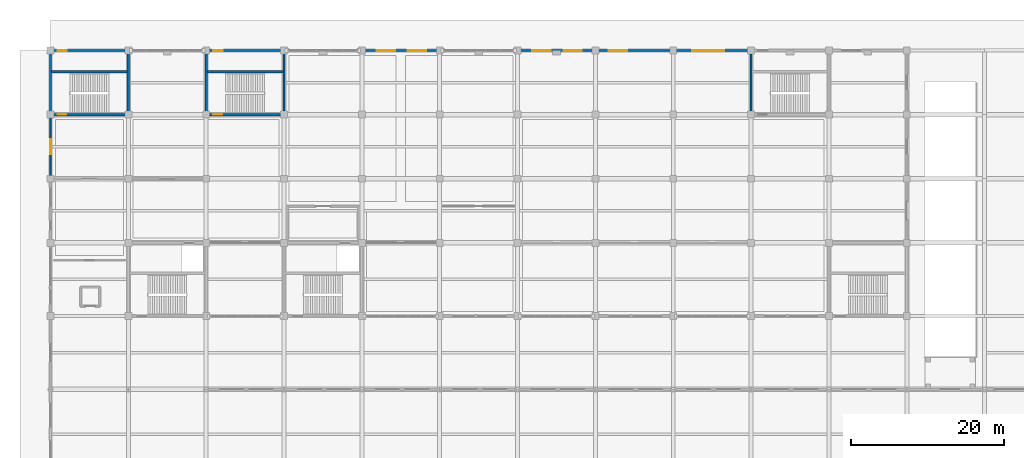
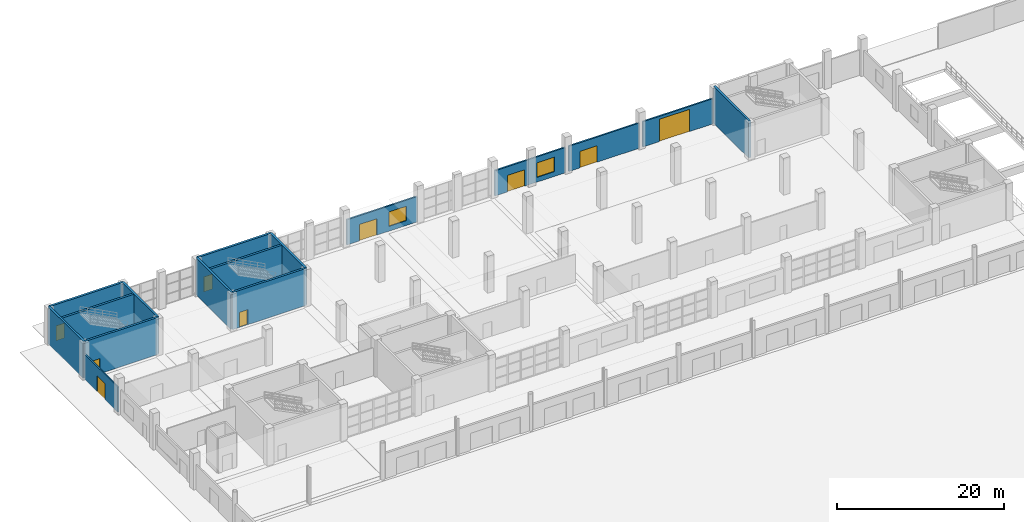
# One storey, part 97 of 124: 16 walls, 9 doors, 2 windows, 11 openings.
"""IFC4 building model written with IfcOpenShell, lengths in metres."""

from ifc_helpers import new_model, si_unit, direction, frame, frame_2d, origin, place, context, subcontext, project, spatial, rectangle, extrude, material, layer, layer_set, type_object, element, fill, save


model = new_model("IFC4")

# Units and contexts
model_context = context("Model", 3, precision=1e-05, world=origin(), true_north=direction((0.0, 1.0)))
body_context = subcontext(model_context, "Body", "Model", "MODEL_VIEW")
ifc_project = project(units=[si_unit("LENGTHUNIT", "METRE"), si_unit("AREAUNIT", "SQUARE_METRE"), si_unit("VOLUMEUNIT", "CUBIC_METRE"), si_unit("PLANEANGLEUNIT", "RADIAN"), si_unit("MASSUNIT", "GRAM", prefix="KILO")], contexts=[model_context])

# Site, building, storey
site_placement = place(None, origin())
site = spatial("IfcSite", under=ifc_project, at=site_placement, CompositionType="ELEMENT")
building_placement = place(site_placement, origin())
building = spatial("IfcBuilding", under=site, at=building_placement, Name="Brelvane Convention Centre", CompositionType="ELEMENT")
storey_placement = place(building_placement, origin())
storey = spatial("IfcBuildingStorey", under=building, at=storey_placement, Name="L00", CompositionType="ELEMENT", Elevation=0.0)

# Wall, openings, door, window
ifc_material_1 = material(Name="Insulated Autoclaved Aerated Concrete Block Grade 1", Category="concrete")
ifc_layer_1 = layer(ifc_material_1, 0.219970703125)
ifc_layer_set_1 = layer_set([ifc_layer_1], Name="Insulated Autoclaved Aerated Concrete Block Grade 1")
wall_type_1 = type_object("IfcWallType", Name="Exterior Wall EW-04", PredefinedType="STANDARD", material=ifc_layer_set_1)
wall_1_placement = place(storey_placement, frame((41.0400390625, 144.0, 0.0), z_axis=(0.0, 0.0, 1.0), x_axis=(1.0, 0.0, 0.0)))
wall_1 = element("IfcWall", 1, at=wall_1_placement, inside=storey, type_object=wall_type_1, Name="Exterior Wall L00 V4N-05", PredefinedType="STANDARD", context=body_context, shape_type="SweptSolid", body=[
    extrude(rectangle(XDim=9.719970703125, YDim=0.219970703125, at=frame_2d((4.85986328125, 0.0))), origin(), (0.0, 0.0, 1.0), 3.679931640625),
])
opening_1_placement = place(wall_1_placement, frame((1.716064453125, 0.0, 0.0)))
opening_1 = element("IfcOpeningElement", 2, at=opening_1_placement, cuts=wall_1, Name="Opening DR-EX-04", PredefinedType="OPENING", context=body_context, shape_type="SweptSolid", body=[
    extrude(rectangle(XDim=2.39990234375, YDim=2.39990234375, at=frame_2d((1.199951171875, 1.199951171875))), frame((0.0, 0.119873046875, 0.0), z_axis=(0.0, -1.0, 0.0), x_axis=(1.0, 0.0, 0.0)), (0.0, 0.0, 1.0), 0.239990234375),
])
opening_2_placement = place(wall_1_placement, frame((5.798095703125, 0.0, 0.699951171875)))
opening_2 = element("IfcOpeningElement", 3, at=opening_2_placement, cuts=wall_1, Name="Opening WN-01", PredefinedType="OPENING", context=body_context, shape_type="SweptSolid", body=[
    extrude(rectangle(XDim=2.39990234375, YDim=2.10009765625, at=frame_2d((1.199951171875, 1.050048828125))), frame((0.0, 0.119873046875, 0.0), z_axis=(0.0, -1.0, 0.0), x_axis=(1.0, 0.0, 0.0)), (0.0, 0.0, 1.0), 0.239990234375),
])
ifc_material_2 = material(Name="Anodised Aluminium Alloy 6063-T6", Category="aluminium")
door_type_1 = type_object("IfcDoorType", Name="Exterior Door DR-EX-04", OperationType="NOTDEFINED", PredefinedType="DOOR", material=ifc_material_2)
door_1_placement = place(opening_1_placement, origin())
door_1 = element("IfcDoor", 4, at=door_1_placement, inside=storey, type_object=door_type_1, Name="Final Exit Door MEET-N5 (DR-EX-04)", OperationType="DOUBLE_DOOR_SINGLE_SWING", OverallHeight=2.39990234375, OverallWidth=2.39990234375, PredefinedType="DOOR", context=body_context, shape_type="SweptSolid", body=[
    extrude(rectangle(XDim=2.39990234375, YDim=2.39990234375, at=frame_2d((1.199951171875, 1.199951171875))), frame((0.0, 0.02490234375, 0.0), z_axis=(0.0, -1.0, 0.0), x_axis=(1.0, 0.0, 0.0)), (0.0, 0.0, 1.0), 0.050048828125),
])
fill(opening_1, door_1)
ifc_material_3 = material(Name="Double Glazed Low-E Laminated Unit")
window_type = type_object("IfcWindowType", Name="Window WN-01", PartitioningType="DOUBLE_PANEL_VERTICAL", PredefinedType="WINDOW", material=ifc_material_3)
window_1_placement = place(opening_2_placement, origin())
window_1 = element("IfcWindow", 5, at=window_1_placement, inside=storey, type_object=window_type, Name="Facade Window L00-V4N-05-010", OverallHeight=2.10009765625, OverallWidth=2.39990234375, PartitioningType="DOUBLE_PANEL_VERTICAL", PredefinedType="WINDOW", context=body_context, shape_type="SweptSolid", body=[
    extrude(rectangle(XDim=2.39990234375, YDim=2.10009765625, at=frame_2d((1.199951171875, 1.050048828125))), frame((0.0, 0.030029296875, 0.0), z_axis=(0.0, -1.0, 0.0), x_axis=(1.0, 0.0, 0.0)), (0.0, 0.0, 1.0), 0.06005859375),
])
fill(opening_2, window_1)

wall_2_placement = place(storey_placement, frame((61.43994140625, 144.0, 0.0), z_axis=(0.0, 0.0, 1.0), x_axis=(1.0, 0.0, 0.0)))
wall_2 = element("IfcWall", 6, at=wall_2_placement, inside=storey, type_object=wall_type_1, Name="Exterior Wall L00 V4N-07", PredefinedType="STANDARD", context=body_context, shape_type="SweptSolid", body=[
    extrude(rectangle(XDim=9.719970703125, YDim=0.219970703125, at=frame_2d((4.85986328125, 0.0))), origin(), (0.0, 0.0, 1.0), 3.679931640625),
])
opening_3_placement = place(wall_2_placement, frame((1.716064453125, 0.0, 0.0)))
opening_3 = element("IfcOpeningElement", 7, at=opening_3_placement, cuts=wall_2, Name="Opening DR-EX-04", PredefinedType="OPENING", context=body_context, shape_type="SweptSolid", body=[
    extrude(rectangle(XDim=2.39990234375, YDim=2.39990234375, at=frame_2d((1.199951171875, 1.199951171875))), frame((0.0, 0.119873046875, 0.0), z_axis=(0.0, -1.0, 0.0), x_axis=(1.0, 0.0, 0.0)), (0.0, 0.0, 1.0), 0.239990234375),
])
opening_4_placement = place(wall_2_placement, frame((5.798095703125, 0.0, 0.699951171875)))
opening_4 = element("IfcOpeningElement", 8, at=opening_4_placement, cuts=wall_2, Name="Opening WN-01", PredefinedType="OPENING", context=body_context, shape_type="SweptSolid", body=[
    extrude(rectangle(XDim=2.39990234375, YDim=2.10009765625, at=frame_2d((1.199951171875, 1.050048828125))), frame((0.0, 0.119873046875, 0.0), z_axis=(0.0, -1.0, 0.0), x_axis=(1.0, 0.0, 0.0)), (0.0, 0.0, 1.0), 0.239990234375),
])
door_2_placement = place(opening_3_placement, origin())
door_2 = element("IfcDoor", 9, at=door_2_placement, inside=storey, type_object=door_type_1, Name="Final Exit Door MEET-N7 (DR-EX-04)", OperationType="DOUBLE_DOOR_SINGLE_SWING", OverallHeight=2.39990234375, OverallWidth=2.39990234375, PredefinedType="DOOR", context=body_context, shape_type="SweptSolid", body=[
    extrude(rectangle(XDim=2.39990234375, YDim=2.39990234375, at=frame_2d((1.199951171875, 1.199951171875))), frame((0.0, 0.02490234375, 0.0), z_axis=(0.0, -1.0, 0.0), x_axis=(1.0, 0.0, 0.0)), (0.0, 0.0, 1.0), 0.050048828125),
])
fill(opening_3, door_2)
window_2_placement = place(opening_4_placement, origin())
window_2 = element("IfcWindow", 10, at=window_2_placement, inside=storey, type_object=window_type, Name="Facade Window L00-V4N-07-012", OverallHeight=2.10009765625, OverallWidth=2.39990234375, PartitioningType="DOUBLE_PANEL_VERTICAL", PredefinedType="WINDOW", context=body_context, shape_type="SweptSolid", body=[
    extrude(rectangle(XDim=2.39990234375, YDim=2.10009765625, at=frame_2d((1.199951171875, 1.050048828125))), frame((0.0, 0.030029296875, 0.0), z_axis=(0.0, -1.0, 0.0), x_axis=(1.0, 0.0, 0.0)), (0.0, 0.0, 1.0), 0.06005859375),
])
fill(opening_4, window_2)

# Wall, opening, door
ifc_material_4 = material(Name="Insulated Autoclaved Aerated Concrete Block Grade 1", Category="concrete")
ifc_layer_2 = layer(ifc_material_4, 0.18994140625)
ifc_layer_set_2 = layer_set([ifc_layer_2], Name="Insulated Autoclaved Aerated Concrete Block Grade 1")
wall_type_2 = type_object("IfcWallType", Name="Exterior Wall EW-06", PredefinedType="STANDARD", material=ifc_layer_set_2)
wall_3_placement = place(storey_placement, frame((0.0, 127.43994140625, 0.0), z_axis=(0.0, 0.0, 1.0), x_axis=(0.0, 1.0, 0.0)))
wall_3 = element("IfcWall", 11, at=wall_3_placement, inside=storey, type_object=wall_type_2, Name="Exterior Wall L00 V4W-L00-127", PredefinedType="STANDARD", context=body_context, shape_type="SweptSolid", body=[
    extrude(rectangle(XDim=7.920166015625, YDim=0.18994140625, at=frame_2d((3.9599609375, 0.0))), origin(), (0.0, 0.0, 1.0), 3.679931640625),
])
opening_5_placement = place(wall_3_placement, frame((2.9599609375, 0.0, 0.0)))
opening_5 = element("IfcOpeningElement", 12, at=opening_5_placement, cuts=wall_3, Name="Opening DR-EX-06", PredefinedType="OPENING", context=body_context, shape_type="SweptSolid", body=[
    extrude(rectangle(XDim=2.0, YDim=2.300048828125, at=frame_2d((1.0, 1.14990234375))), frame((0.0, 0.10498046875, 0.0), z_axis=(0.0, -1.0, 0.0), x_axis=(1.0, 0.0, 0.0)), (0.0, 0.0, 1.0), 0.2099609375),
])
ifc_material_5 = material(Name="Anodised Aluminium Alloy 6063-T6", Category="aluminium")
door_type_2 = type_object("IfcDoorType", Name="Exterior Door DR-EX-06", OperationType="NOTDEFINED", PredefinedType="DOOR", material=ifc_material_5)
door_3_placement = place(opening_5_placement, origin())
door_3 = element("IfcDoor", 13, at=door_3_placement, inside=storey, type_object=door_type_2, Name="Final Exit Door MEET-W-EX4 (DR-EX-06)", OperationType="DOUBLE_DOOR_SINGLE_SWING", OverallHeight=2.300048828125, OverallWidth=2.0, PredefinedType="DOOR", context=body_context, shape_type="SweptSolid", body=[
    extrude(rectangle(XDim=2.0, YDim=2.300048828125, at=frame_2d((1.0, 1.14990234375))), frame((0.0, 0.02490234375, 0.0), z_axis=(0.0, -1.0, 0.0), x_axis=(1.0, 0.0, 0.0)), (0.0, 0.0, 1.0), 0.050048828125),
])
fill(opening_5, door_3)

ifc_material_6 = material(Name="Concrete M40", Category="concrete")
ifc_layer_3 = layer(ifc_material_6, 0.215087890625)
ifc_layer_set_3 = layer_set([ifc_layer_3], Name="Concrete M40")
wall_type_3 = type_object("IfcWallType", Name="Exterior Wall EW-10", PredefinedType="SOLIDWALL", material=ifc_layer_set_3)
wall_4_placement = place(storey_placement, frame((71.639892578125, 144.0, 0.0), z_axis=(0.0, 0.0, 1.0), x_axis=(1.0, 0.0, 0.0)))
wall_4 = element("IfcWall", 14, at=wall_4_placement, inside=storey, type_object=wall_type_3, Name="Exterior Wall L00 V4N-08", PredefinedType="SOLIDWALL", context=body_context, shape_type="SweptSolid", body=[
    extrude(rectangle(XDim=9.72021484375, YDim=0.215087890625, at=frame_2d((4.860107421875, 0.0))), origin(), (0.0, 0.0, 1.0), 3.679931640625),
])
opening_6_placement = place(wall_4_placement, frame((1.52197265625, 0.0, 0.0)))
opening_6 = element("IfcOpeningElement", 15, at=opening_6_placement, cuts=wall_4, Name="Opening DR-EX-04", PredefinedType="OPENING", context=body_context, shape_type="SweptSolid", body=[
    extrude(rectangle(XDim=2.39990234375, YDim=2.39990234375, at=frame_2d((1.199951171875, 1.199951171875))), frame((0.0, 0.117431640625, 0.0), z_axis=(0.0, -1.0, 0.0), x_axis=(1.0, 0.0, 0.0)), (0.0, 0.0, 1.0), 0.235107421875),
])
door_4_placement = place(opening_6_placement, origin())
door_4 = element("IfcDoor", 16, at=door_4_placement, inside=storey, type_object=door_type_1, Name="Final Exit Door KITCH-N8 (DR-EX-04)", OperationType="DOUBLE_DOOR_SINGLE_SWING", OverallHeight=2.39990234375, OverallWidth=2.39990234375, PredefinedType="DOOR", context=body_context, shape_type="SweptSolid", body=[
    extrude(rectangle(XDim=2.39990234375, YDim=2.39990234375, at=frame_2d((1.199951171875, 1.199951171875))), frame((0.0, 0.02490234375, 0.0), z_axis=(0.0, -1.0, 0.0), x_axis=(1.0, 0.0, 0.0)), (0.0, 0.0, 1.0), 0.050048828125),
])
fill(opening_6, door_4)

wall_5_placement = place(storey_placement, frame((81.840087890625, 144.0, 0.0), z_axis=(0.0, 0.0, 1.0), x_axis=(1.0, 0.0, 0.0)))
wall_5 = element("IfcWall", 17, at=wall_5_placement, inside=storey, type_object=wall_type_3, Name="Exterior Wall L00 V4N-09", PredefinedType="SOLIDWALL", context=body_context, shape_type="SweptSolid", body=[
    extrude(rectangle(XDim=9.719970703125, YDim=0.215087890625, at=frame_2d((4.85986328125, 0.0))), origin(), (0.0, 0.0, 1.0), 3.679931640625),
])
opening_7_placement = place(wall_5_placement, frame((2.27392578125, 0.0, 0.0)))
opening_7 = element("IfcOpeningElement", 18, at=opening_7_placement, cuts=wall_5, Name="Opening DR-VG-02", PredefinedType="OPENING", context=body_context, shape_type="SweptSolid", body=[
    extrude(rectangle(XDim=4.199951171875, YDim=3.25, at=frame_2d((2.10009765625, 1.625))), frame((0.0, 0.117431640625, 0.0), z_axis=(0.0, -1.0, 0.0), x_axis=(1.0, 0.0, 0.0)), (0.0, 0.0, 1.0), 0.235107421875),
])
ifc_material_7 = material(Name="Steel E350 (350 MPa)", Category="steel")
door_type_3 = type_object("IfcDoorType", Name="Exterior Gate DR-VG-02", OperationType="NOTDEFINED", PredefinedType="GATE", material=ifc_material_7)
door_5_placement = place(opening_7_placement, origin())
door_5 = element("IfcDoor", 19, at=door_5_placement, inside=storey, type_object=door_type_3, Name="Final Exit Door KITCH-GATE-2 (DR-VG-02)", OperationType="ROLLINGUP", OverallHeight=3.25, OverallWidth=4.199951171875, PredefinedType="GATE", context=body_context, shape_type="SweptSolid", body=[
    extrude(rectangle(XDim=4.199951171875, YDim=3.25, at=frame_2d((2.10009765625, 1.625))), frame((0.0, 0.02490234375, 0.0), z_axis=(0.0, -1.0, 0.0), x_axis=(1.0, 0.0, 0.0)), (0.0, 0.0, 1.0), 0.050048828125),
])
fill(opening_7, door_5)

# Wall
ifc_material_8 = material(Name="Concrete M50", Category="concrete")
ifc_layer_4 = layer(ifc_material_8, 0.300048828125)
ifc_layer_set_4 = layer_set([ifc_layer_4], Name="Concrete M50")
wall_type_4 = type_object("IfcWallType", Name="Structural Wall WL-CORE-300", PredefinedType="SHEAR", material=ifc_layer_set_4)
wall_6_placement = place(storey_placement, frame((91.800048828125, 135.60009765625, 0.0), z_axis=(0.0, 0.0, 1.0), x_axis=(0.0, 1.0, 0.0)))
element("IfcWall", 20, at=wall_6_placement, inside=storey, type_object=wall_type_4, Name="Stair Core ST-12 Wall W (L00)", PredefinedType="SHEAR", context=body_context, shape_type="SweptSolid", body=[
    extrude(rectangle(XDim=8.39990234375, YDim=0.300048828125, at=frame_2d((4.199951171875, 0.0))), origin(), (0.0, 0.0, 1.0), 5.39990234375),
])

# Wall, opening, door
wall_7_placement = place(storey_placement, frame((20.39990234375, 135.60009765625, 0.0), z_axis=(0.0, 0.0, 1.0), x_axis=(1.0, 0.0, 0.0)))
wall_7 = element("IfcWall", 21, at=wall_7_placement, inside=storey, type_object=wall_type_4, Name="Stair Core ST-13 Wall S (L00)", PredefinedType="SHEAR", context=body_context, shape_type="SweptSolid", body=[
    extrude(rectangle(XDim=10.2001953125, YDim=0.300048828125, at=frame_2d((5.10009765625, 0.0))), origin(), (0.0, 0.0, 1.0), 5.39990234375),
])
opening_8_placement = place(wall_7_placement, frame((0.919921875, 0.0, 0.0)))
opening_8 = element("IfcOpeningElement", 22, at=opening_8_placement, cuts=wall_7, Name="Opening DR-IN-04L", PredefinedType="OPENING", context=body_context, shape_type="SweptSolid", body=[
    extrude(rectangle(XDim=1.159912109375, YDim=2.199951171875, at=frame_2d((0.580078125, 1.10009765625))), frame((0.0, 0.159912109375, 0.0), z_axis=(0.0, -1.0, 0.0), x_axis=(1.0, 0.0, 0.0)), (0.0, 0.0, 1.0), 0.320068359375),
])
ifc_material_9 = material(Name="Galvanised Hollow-Metal Fire Door Steel E250", Category="steel")
door_type_4 = type_object("IfcDoorType", Name="Interior Door DR-IN-04L", OperationType="NOTDEFINED", PredefinedType="DOOR", material=ifc_material_9)
door_6_placement = place(opening_8_placement, origin())
door_6 = element("IfcDoor", 23, at=door_6_placement, inside=storey, type_object=door_type_4, Name="Stair ST-13 Entry Door (L00)", OperationType="SINGLE_SWING_LEFT", OverallHeight=2.199951171875, OverallWidth=1.159912109375, PredefinedType="DOOR", context=body_context, shape_type="SweptSolid", body=[
    extrude(rectangle(XDim=1.159912109375, YDim=2.199951171875, at=frame_2d((0.580078125, 1.10009765625))), frame((0.0, 0.02490234375, 0.0), z_axis=(0.0, -1.0, 0.0), x_axis=(1.0, 0.0, 0.0)), (0.0, 0.0, 1.0), 0.050048828125),
])
fill(opening_8, door_6)

wall_8_placement = place(storey_placement, frame((20.39990234375, 144.0, 0.0), z_axis=(0.0, 0.0, 1.0), x_axis=(1.0, 0.0, 0.0)))
wall_8 = element("IfcWall", 24, at=wall_8_placement, inside=storey, type_object=wall_type_4, Name="Stair Core ST-13 Wall N (L00)", PredefinedType="SHEAR", context=body_context, shape_type="SweptSolid", body=[
    extrude(rectangle(XDim=10.2001953125, YDim=0.300048828125, at=frame_2d((5.10009765625, 0.0))), origin(), (0.0, 0.0, 1.0), 5.39990234375),
])
opening_9_placement = place(wall_8_placement, frame((0.949951171875, 0.0, 0.0)))
opening_9 = element("IfcOpeningElement", 25, at=opening_9_placement, cuts=wall_8, Name="Opening DR-EX-08", PredefinedType="OPENING", context=body_context, shape_type="SweptSolid", body=[
    extrude(rectangle(XDim=1.199951171875, YDim=2.199951171875, at=frame_2d((0.60009765625, 1.10009765625))), frame((0.0, 0.159912109375, 0.0), z_axis=(0.0, -1.0, 0.0), x_axis=(1.0, 0.0, 0.0)), (0.0, 0.0, 1.0), 0.320068359375),
])
ifc_material_10 = material(Name="Anodised Aluminium Alloy 6063-T6", Category="aluminium")
door_type_5 = type_object("IfcDoorType", Name="Exterior Door DR-EX-08", OperationType="NOTDEFINED", PredefinedType="DOOR", material=ifc_material_10)
door_7_placement = place(opening_9_placement, origin())
door_7 = element("IfcDoor", 26, at=door_7_placement, inside=storey, type_object=door_type_5, Name="Stair ST-13 Final Exit Door", OperationType="SINGLE_SWING_LEFT", OverallHeight=2.199951171875, OverallWidth=1.199951171875, PredefinedType="DOOR", context=body_context, shape_type="SweptSolid", body=[
    extrude(rectangle(XDim=1.199951171875, YDim=2.199951171875, at=frame_2d((0.60009765625, 1.10009765625))), frame((0.0, 0.02490234375, 0.0), z_axis=(0.0, -1.0, 0.0), x_axis=(1.0, 0.0, 0.0)), (0.0, 0.0, 1.0), 0.050048828125),
])
fill(opening_9, door_7)

# Walls
for number, where, z_axis, x_axis, name in (
    (27, (20.39990234375, 135.60009765625, 0.0), (0.0, 0.0, 1.0), (0.0, 1.0, 0.0), "Stair Core ST-13 Wall W (L00)"),
    (28, (30.60009765625, 135.60009765625, 0.0), (0.0, 0.0, 1.0), (0.0, 1.0, 0.0), "Stair Core ST-13 Wall E (L00)"),
):
    element("IfcWall", number, at=place(storey_placement, frame(where, z_axis=z_axis, x_axis=x_axis)), inside=storey, type_object=wall_type_4, Name=name, PredefinedType="SHEAR", context=body_context, shape_type="SweptSolid", body=[
        extrude(rectangle(XDim=8.39990234375, YDim=0.300048828125, at=frame_2d((4.199951171875, 0.0))), origin(), (0.0, 0.0, 1.0), 5.39990234375),
    ])
wall_9_placement = place(storey_placement, frame((20.550048828125, 141.199951171875, 0.0), z_axis=(0.0, 0.0, 1.0), x_axis=(1.0, 0.0, 0.0)))
element("IfcWall", 29, at=wall_9_placement, inside=storey, type_object=wall_type_4, Name="Stair Core ST-13 Well Wall (L00)", PredefinedType="SHEAR", context=body_context, shape_type="SweptSolid", body=[
    extrude(rectangle(XDim=9.89990234375, YDim=0.300048828125, at=frame_2d((4.949951171875, 0.0))), origin(), (0.0, 0.0, 1.0), 5.39990234375),
])

# Wall, opening, door
wall_10_placement = place(storey_placement, frame((0.0, 135.60009765625, 0.0), z_axis=(0.0, 0.0, 1.0), x_axis=(1.0, 0.0, 0.0)))
wall_10 = element("IfcWall", 30, at=wall_10_placement, inside=storey, type_object=wall_type_4, Name="Stair Core ST-17 Wall S (L00)", PredefinedType="SHEAR", context=body_context, shape_type="SweptSolid", body=[
    extrude(rectangle(XDim=10.199951171875, YDim=0.300048828125, at=frame_2d((5.10009765625, 0.0))), origin(), (0.0, 0.0, 1.0), 5.39990234375),
])
opening_10_placement = place(wall_10_placement, frame((0.919921875, 0.0, 0.0)))
opening_10 = element("IfcOpeningElement", 31, at=opening_10_placement, cuts=wall_10, Name="Opening DR-IN-04L", PredefinedType="OPENING", context=body_context, shape_type="SweptSolid", body=[
    extrude(rectangle(XDim=1.159912109375, YDim=2.199951171875, at=frame_2d((0.580078125, 1.10009765625))), frame((0.0, 0.159912109375, 0.0), z_axis=(0.0, -1.0, 0.0), x_axis=(1.0, 0.0, 0.0)), (0.0, 0.0, 1.0), 0.320068359375),
])
door_8_placement = place(opening_10_placement, origin())
door_8 = element("IfcDoor", 32, at=door_8_placement, inside=storey, type_object=door_type_4, Name="Stair ST-17 Entry Door (L00)", OperationType="SINGLE_SWING_LEFT", OverallHeight=2.199951171875, OverallWidth=1.159912109375, PredefinedType="DOOR", context=body_context, shape_type="SweptSolid", body=[
    extrude(rectangle(XDim=1.159912109375, YDim=2.199951171875, at=frame_2d((0.580078125, 1.10009765625))), frame((0.0, 0.02490234375, 0.0), z_axis=(0.0, -1.0, 0.0), x_axis=(1.0, 0.0, 0.0)), (0.0, 0.0, 1.0), 0.050048828125),
])
fill(opening_10, door_8)

wall_11_placement = place(storey_placement, frame((0.0, 144.0, 0.0), z_axis=(0.0, 0.0, 1.0), x_axis=(1.0, 0.0, 0.0)))
wall_11 = element("IfcWall", 33, at=wall_11_placement, inside=storey, type_object=wall_type_4, Name="Stair Core ST-17 Wall N (L00)", PredefinedType="SHEAR", context=body_context, shape_type="SweptSolid", body=[
    extrude(rectangle(XDim=10.199951171875, YDim=0.300048828125, at=frame_2d((5.10009765625, 0.0))), origin(), (0.0, 0.0, 1.0), 5.39990234375),
])
opening_11_placement = place(wall_11_placement, frame((0.949951171875, 0.0, 0.0)))
opening_11 = element("IfcOpeningElement", 34, at=opening_11_placement, cuts=wall_11, Name="Opening DR-EX-08", PredefinedType="OPENING", context=body_context, shape_type="SweptSolid", body=[
    extrude(rectangle(XDim=1.199951171875, YDim=2.199951171875, at=frame_2d((0.60009765625, 1.10009765625))), frame((0.0, 0.159912109375, 0.0), z_axis=(0.0, -1.0, 0.0), x_axis=(1.0, 0.0, 0.0)), (0.0, 0.0, 1.0), 0.320068359375),
])
door_9_placement = place(opening_11_placement, origin())
door_9 = element("IfcDoor", 35, at=door_9_placement, inside=storey, type_object=door_type_5, Name="Stair ST-17 Final Exit Door", OperationType="SINGLE_SWING_LEFT", OverallHeight=2.199951171875, OverallWidth=1.199951171875, PredefinedType="DOOR", context=body_context, shape_type="SweptSolid", body=[
    extrude(rectangle(XDim=1.199951171875, YDim=2.199951171875, at=frame_2d((0.60009765625, 1.10009765625))), frame((0.0, 0.02490234375, 0.0), z_axis=(0.0, -1.0, 0.0), x_axis=(1.0, 0.0, 0.0)), (0.0, 0.0, 1.0), 0.050048828125),
])
fill(opening_11, door_9)

# Walls
for number, where, z_axis, x_axis, name in (
    (36, (0.0, 135.60009765625, 0.0), (0.0, 0.0, 1.0), (0.0, 1.0, 0.0), "Stair Core ST-17 Wall W (L00)"),
    (37, (10.199951171875, 135.60009765625, 0.0), (0.0, 0.0, 1.0), (0.0, 1.0, 0.0), "Stair Core ST-17 Wall E (L00)"),
):
    element("IfcWall", number, at=place(storey_placement, frame(where, z_axis=z_axis, x_axis=x_axis)), inside=storey, type_object=wall_type_4, Name=name, PredefinedType="SHEAR", context=body_context, shape_type="SweptSolid", body=[
        extrude(rectangle(XDim=8.39990234375, YDim=0.300048828125, at=frame_2d((4.199951171875, 0.0))), origin(), (0.0, 0.0, 1.0), 5.39990234375),
    ])
wall_12_placement = place(storey_placement, frame((0.14990234375, 141.199951171875, 0.0), z_axis=(0.0, 0.0, 1.0), x_axis=(1.0, 0.0, 0.0)))
element("IfcWall", 38, at=wall_12_placement, inside=storey, type_object=wall_type_4, Name="Stair Core ST-17 Well Wall (L00)", PredefinedType="SHEAR", context=body_context, shape_type="SweptSolid", body=[
    extrude(rectangle(XDim=9.900146484375, YDim=0.300048828125, at=frame_2d((4.9501953125, 0.0))), origin(), (0.0, 0.0, 1.0), 5.39990234375),
])

save(model, "model.ifc")
